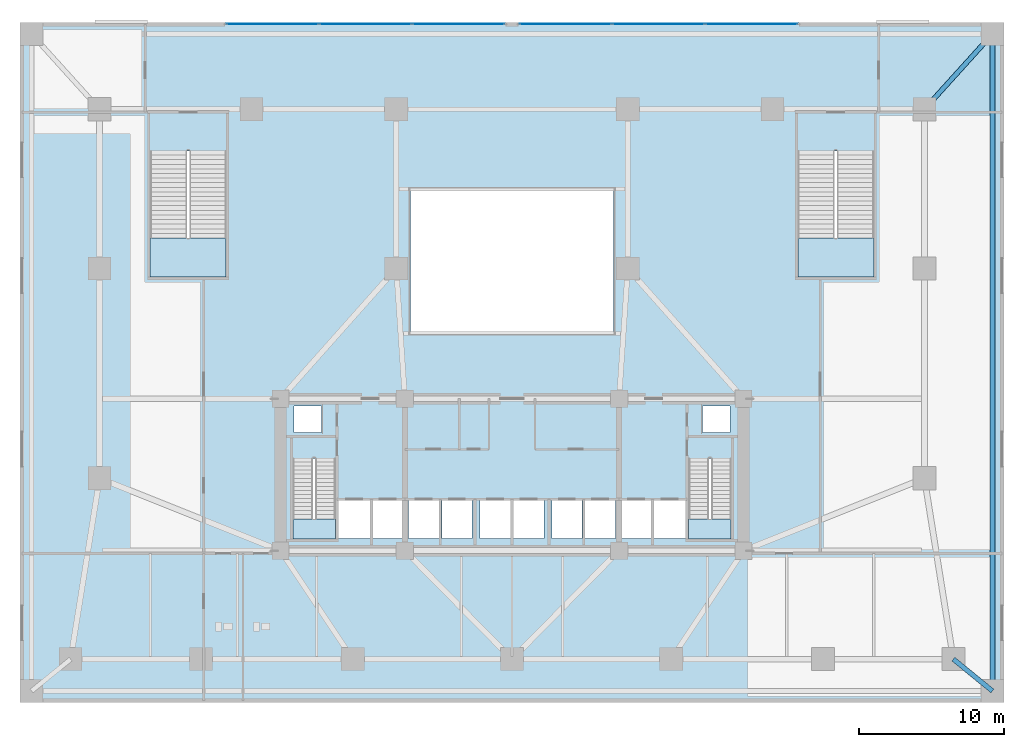
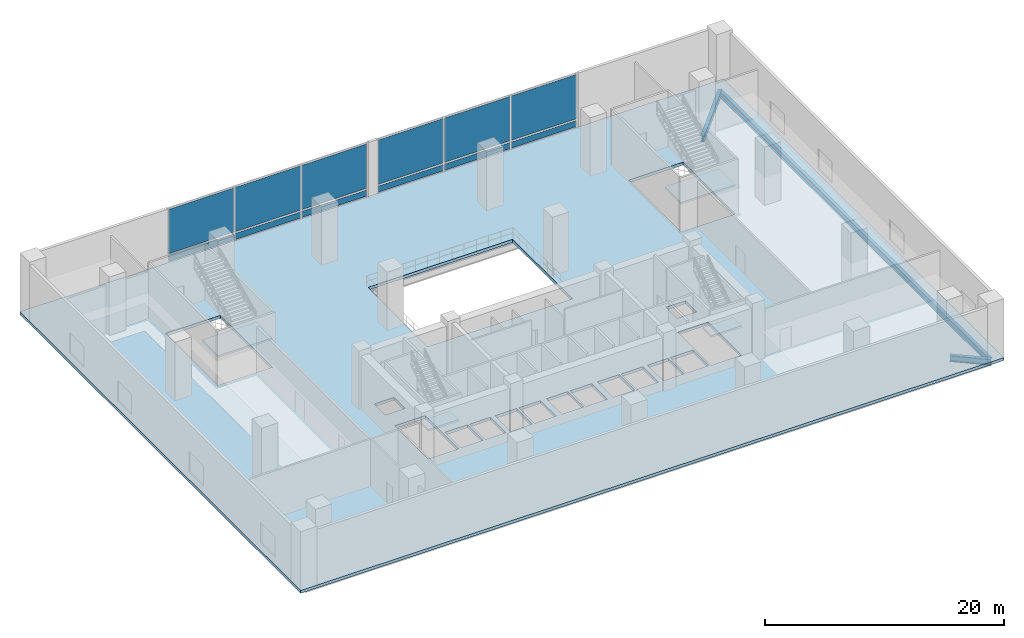
# One storey, part 5 of 16: 12 plates, 5 slabs, 3 beams, 6 elements without a shape of their own.
"""IFC4 building model written with IfcOpenShell, lengths in metres."""

from ifc_helpers import new_model, si_unit, direction, frame, origin, origin_2d, place, context, subcontext, project, spatial, polyline, rectangle, i_section, outline, extrude, material, layer, layer_set, material_profile, profile_set, type_object, element, aggregate, save


model = new_model("IFC4")

# Units and contexts
model_context = context("Model", 3, precision=1e-05, world=origin(), true_north=direction((0.0, 1.0)))
body_context = subcontext(model_context, "Body", "Model", "MODEL_VIEW")
ifc_project = project(units=[si_unit("LENGTHUNIT", "METRE"), si_unit("AREAUNIT", "SQUARE_METRE"), si_unit("VOLUMEUNIT", "CUBIC_METRE"), si_unit("PLANEANGLEUNIT", "RADIAN"), si_unit("MASSUNIT", "GRAM", prefix="KILO")], contexts=[model_context])

# Site, building, storey
site_placement = place(None, origin())
site = spatial("IfcSite", under=ifc_project, at=site_placement, CompositionType="ELEMENT")
building_placement = place(site_placement, origin())
building = spatial("IfcBuilding", under=site, at=building_placement, Name="Solmavex Isthmus Hotel", CompositionType="ELEMENT")
storey_placement = place(building_placement, frame((0.0, 0.0, 5.39990234375)))
storey = spatial("IfcBuildingStorey", under=building, at=storey_placement, Name="L02", CompositionType="ELEMENT", Elevation=5.39990234375)

# Beams
ifc_material_1 = material(Name="Steel ASTM A992 Grade 50", Category="steel")
ifc_material_profile = material_profile(ifc_material_1, i_section(OverallWidth=0.326416015625, OverallDepth=0.621826171875, WebThickness=0.015380859375, FlangeThickness=0.0244140625, FilletRadius=0.01513671875, at=origin_2d()), Name="W24X131")
ifc_profile_set = profile_set([ifc_material_profile], Name="Steel ASTM A992 Grade 50")
beam_type = type_object("IfcBeamType", Name="BM-SP-W24X131", PredefinedType="SPANDREL", material=ifc_profile_set)
beam_1_placement = place(storey_placement, frame((30.5, -20.5, -0.61083984375), z_axis=(0.77523625691, -0.631671390814, 0.0), x_axis=(0.631671390814, 0.77523625691, 0.0)))
element("IfcBeam", 1, at=beam_1_placement, inside=storey, type_object=beam_type, Name="Podium Corner Perimeter Girder L02-CR02", PredefinedType="SPANDREL", context=body_context, shape_type="SweptSolid", body=[
    extrude(i_section(OverallWidth=0.326416015625, OverallDepth=0.621826171875, WebThickness=0.015380859375, FlangeThickness=0.0244140625, FilletRadius=0.01513671875, at=origin_2d()), origin(), (0.0, 0.0, 1.0), 3.482666015625),
])
beam_2_placement = place(storey_placement, frame((33.199951171875, -22.699951171875, -0.61083984375), z_axis=(0.0, 1.0, 0.0), x_axis=(-1.0, 0.0, 0.0)))
element("IfcBeam", 2, at=beam_2_placement, inside=storey, type_object=beam_type, Name="Podium Corner Perimeter Girder L02-CR04", PredefinedType="SPANDREL", context=body_context, shape_type="SweptSolid", body=[
    extrude(i_section(OverallWidth=0.326416015625, OverallDepth=0.621826171875, WebThickness=0.015380859375, FlangeThickness=0.0244140625, FilletRadius=0.01513671875, at=origin_2d()), origin(), (0.0, 0.0, 1.0), 45.39990234375),
])
beam_3_placement = place(storey_placement, frame((28.5, 17.5, -0.61083984375), z_axis=(0.670539300557, 0.741874009795, 0.0), x_axis=(-0.741874009795, 0.670539300557, 0.0)))
element("IfcBeam", 3, at=beam_3_placement, inside=storey, type_object=beam_type, Name="Podium Corner Perimeter Girder L02-CR06", PredefinedType="SPANDREL", context=body_context, shape_type="SweptSolid", body=[
    extrude(i_section(OverallWidth=0.326416015625, OverallDepth=0.621826171875, WebThickness=0.015380859375, FlangeThickness=0.0244140625, FilletRadius=0.01513671875, at=origin_2d()), origin(), (0.0, 0.0, 1.0), 7.00927734375),
])

# Curtain wall, plates
ifc_material_2 = material(Name="Aluminium alloy 6063-T6", Category="aluminium")
curtain_wall_type = type_object("IfcCurtainWallType", Name="CW-SYS-01", PredefinedType="NOTDEFINED", material=ifc_material_2)
curtain_wall_1_placement = place(storey_placement, origin())
curtain_wall_1 = element("IfcCurtainWall", 4, at=curtain_wall_1_placement, inside=storey, type_object=curtain_wall_type, Name="Stick Curtain Wall CWL-L02-NW", PredefinedType="NOTDEFINED")
ifc_material_3 = material(Name="Clear low-E laminated glass", Category="glass")
ifc_layer_1 = layer(ifc_material_3, 0.035888671875)
ifc_layer_set_1 = layer_set([ifc_layer_1], Name="Clear low-E laminated glass")
plate_type = type_object("IfcPlateType", Name="CW-SYS-01-PNL", PredefinedType="CURTAIN_PANEL", material=ifc_layer_set_1)
plate_1_placement = place(storey_placement, frame((-16.554931640625, 23.3798828125, 0.18017578125), z_axis=(0.0, 0.0, 1.0), x_axis=(1.0, 0.0, 0.0)))
plate_1 = element("IfcPlate", 5, at=plate_1_placement, type_object=plate_type, Name="CW-01 panel 1.1", PredefinedType="CURTAIN_PANEL", context=body_context, shape_type="SweptSolid", body=[
    extrude(rectangle(XDim=6.330078125, YDim=0.035888671875, at=origin_2d()), origin(), (0.0, 0.0, 1.0), 0.6298828125),
])
plate_2_placement = place(storey_placement, frame((-16.554931640625, 23.3798828125, 0.990234375), z_axis=(0.0, 0.0, 1.0), x_axis=(1.0, 0.0, 0.0)))
plate_2 = element("IfcPlate", 6, at=plate_2_placement, type_object=plate_type, Name="CW-01 panel 1.2", PredefinedType="CURTAIN_PANEL", context=body_context, shape_type="SweptSolid", body=[
    extrude(rectangle(XDim=6.330078125, YDim=0.035888671875, at=origin_2d()), origin(), (0.0, 0.0, 1.0), 4.530029296875),
])
plate_3_placement = place(storey_placement, frame((-10.125, 23.3798828125, 0.18017578125), z_axis=(0.0, 0.0, 1.0), x_axis=(1.0, 0.0, 0.0)))
plate_3 = element("IfcPlate", 7, at=plate_3_placement, type_object=plate_type, Name="CW-01 panel 2.1", PredefinedType="CURTAIN_PANEL", context=body_context, shape_type="SweptSolid", body=[
    extrude(rectangle(XDim=6.3701171875, YDim=0.035888671875, at=origin_2d()), origin(), (0.0, 0.0, 1.0), 0.6298828125),
])
plate_4_placement = place(storey_placement, frame((-10.125, 23.3798828125, 0.990234375), z_axis=(0.0, 0.0, 1.0), x_axis=(1.0, 0.0, 0.0)))
plate_4 = element("IfcPlate", 8, at=plate_4_placement, type_object=plate_type, Name="CW-01 panel 2.2", PredefinedType="CURTAIN_PANEL", context=body_context, shape_type="SweptSolid", body=[
    extrude(rectangle(XDim=6.3701171875, YDim=0.035888671875, at=origin_2d()), origin(), (0.0, 0.0, 1.0), 4.530029296875),
])
plate_5_placement = place(storey_placement, frame((-3.695068359375, 23.3798828125, 0.18017578125), z_axis=(0.0, 0.0, 1.0), x_axis=(1.0, 0.0, 0.0)))
plate_5 = element("IfcPlate", 9, at=plate_5_placement, type_object=plate_type, Name="CW-01 panel 3.1", PredefinedType="CURTAIN_PANEL", context=body_context, shape_type="SweptSolid", body=[
    extrude(rectangle(XDim=6.330078125, YDim=0.035888671875, at=origin_2d()), origin(), (0.0, 0.0, 1.0), 0.6298828125),
])
plate_6_placement = place(storey_placement, frame((-3.695068359375, 23.3798828125, 0.990234375), z_axis=(0.0, 0.0, 1.0), x_axis=(1.0, 0.0, 0.0)))
plate_6 = element("IfcPlate", 10, at=plate_6_placement, type_object=plate_type, Name="CW-01 panel 3.2", PredefinedType="CURTAIN_PANEL", context=body_context, shape_type="SweptSolid", body=[
    extrude(rectangle(XDim=6.330078125, YDim=0.035888671875, at=origin_2d()), origin(), (0.0, 0.0, 1.0), 4.530029296875),
])
aggregate(curtain_wall_1, [plate_1, plate_2, plate_3, plate_4, plate_5, plate_6])

curtain_wall_2_placement = place(storey_placement, origin())
curtain_wall_2 = element("IfcCurtainWall", 11, at=curtain_wall_2_placement, inside=storey, type_object=curtain_wall_type, Name="Stick Curtain Wall CWL-L02-NE", PredefinedType="NOTDEFINED")
plate_7_placement = place(storey_placement, frame((3.695068359375, 23.3798828125, 0.18017578125), z_axis=(0.0, 0.0, 1.0), x_axis=(1.0, 0.0, 0.0)))
plate_7 = element("IfcPlate", 12, at=plate_7_placement, type_object=plate_type, Name="CW-01 panel 1.1", PredefinedType="CURTAIN_PANEL", context=body_context, shape_type="SweptSolid", body=[
    extrude(rectangle(XDim=6.330078125, YDim=0.035888671875, at=origin_2d()), origin(), (0.0, 0.0, 1.0), 0.6298828125),
])
plate_8_placement = place(storey_placement, frame((3.695068359375, 23.3798828125, 0.990234375), z_axis=(0.0, 0.0, 1.0), x_axis=(1.0, 0.0, 0.0)))
plate_8 = element("IfcPlate", 13, at=plate_8_placement, type_object=plate_type, Name="CW-01 panel 1.2", PredefinedType="CURTAIN_PANEL", context=body_context, shape_type="SweptSolid", body=[
    extrude(rectangle(XDim=6.330078125, YDim=0.035888671875, at=origin_2d()), origin(), (0.0, 0.0, 1.0), 4.530029296875),
])
plate_9_placement = place(storey_placement, frame((10.125, 23.3798828125, 0.18017578125), z_axis=(0.0, 0.0, 1.0), x_axis=(1.0, 0.0, 0.0)))
plate_9 = element("IfcPlate", 14, at=plate_9_placement, type_object=plate_type, Name="CW-01 panel 2.1", PredefinedType="CURTAIN_PANEL", context=body_context, shape_type="SweptSolid", body=[
    extrude(rectangle(XDim=6.3701171875, YDim=0.035888671875, at=origin_2d()), origin(), (0.0, 0.0, 1.0), 0.6298828125),
])
plate_10_placement = place(storey_placement, frame((10.125, 23.3798828125, 0.990234375), z_axis=(0.0, 0.0, 1.0), x_axis=(1.0, 0.0, 0.0)))
plate_10 = element("IfcPlate", 15, at=plate_10_placement, type_object=plate_type, Name="CW-01 panel 2.2", PredefinedType="CURTAIN_PANEL", context=body_context, shape_type="SweptSolid", body=[
    extrude(rectangle(XDim=6.3701171875, YDim=0.035888671875, at=origin_2d()), origin(), (0.0, 0.0, 1.0), 4.530029296875),
])
plate_11_placement = place(storey_placement, frame((16.554931640625, 23.3798828125, 0.18017578125), z_axis=(0.0, 0.0, 1.0), x_axis=(1.0, 0.0, 0.0)))
plate_11 = element("IfcPlate", 16, at=plate_11_placement, type_object=plate_type, Name="CW-01 panel 3.1", PredefinedType="CURTAIN_PANEL", context=body_context, shape_type="SweptSolid", body=[
    extrude(rectangle(XDim=6.330078125, YDim=0.035888671875, at=origin_2d()), origin(), (0.0, 0.0, 1.0), 0.6298828125),
])
plate_12_placement = place(storey_placement, frame((16.554931640625, 23.3798828125, 0.990234375), z_axis=(0.0, 0.0, 1.0), x_axis=(1.0, 0.0, 0.0)))
plate_12 = element("IfcPlate", 17, at=plate_12_placement, type_object=plate_type, Name="CW-01 panel 3.2", PredefinedType="CURTAIN_PANEL", context=body_context, shape_type="SweptSolid", body=[
    extrude(rectangle(XDim=6.330078125, YDim=0.035888671875, at=origin_2d()), origin(), (0.0, 0.0, 1.0), 4.530029296875),
])
aggregate(curtain_wall_2, [plate_7, plate_8, plate_9, plate_10, plate_11, plate_12])

# Slab
ifc_material_4 = material(Name="Concrete C40/50", Category="concrete")
ifc_layer_2 = layer(ifc_material_4, 0.300048828125)
ifc_layer_set_2 = layer_set([ifc_layer_2], Name="Concrete C40/50")
slab_type_1 = type_object("IfcSlabType", Name="SLAB-POD-300", PredefinedType="FLOOR", material=ifc_layer_set_2)
slab_1_placement = place(storey_placement, frame((0.0, 0.0, -0.2998046875)))
element("IfcSlab", 18, at=slab_1_placement, inside=storey, type_object=slab_type_1, Name="Podium Floor Slab L02", PredefinedType="FLOOR", context=body_context, shape_type="SweptSolid", body=[
    extrude(outline(polyline([(-34.0, -23.5), (34.0, -23.5), (34.0, 23.5), (-34.0, 23.5), (-34.0, -23.5)]), holes=[polyline([(-15.14990234375, -6.617919921875), (-15.14990234375, -12.199951171875), (-12.199951171875, -12.199951171875), (-12.199951171875, -6.617919921875), (-15.14990234375, -6.617919921875)]), polyline([(12.199951171875, -6.617919921875), (12.199951171875, -12.199951171875), (15.14990234375, -12.199951171875), (15.14990234375, -6.617919921875), (12.199951171875, -6.617919921875)]), polyline([(19.75, 14.632080078125), (19.75, 5.89990234375), (25.0, 5.89990234375), (25.0, 14.632080078125), (19.75, 14.632080078125)]), polyline([(-25.0, 14.632080078125), (-25.0, 5.89990234375), (-19.75, 5.89990234375), (-19.75, 14.632080078125), (-25.0, 14.632080078125)]), polyline([(-12.0, -12.14990234375), (-9.800048828125, -12.14990234375), (-9.800048828125, -9.550048828125), (-12.0, -9.550048828125), (-12.0, -12.14990234375)]), polyline([(9.800048828125, -12.14990234375), (12.0, -12.14990234375), (12.0, -9.550048828125), (9.800048828125, -9.550048828125), (9.800048828125, -12.14990234375)]), polyline([(-9.60009765625, -12.14990234375), (-7.60009765625, -12.14990234375), (-7.60009765625, -9.550048828125), (-9.60009765625, -9.550048828125), (-9.60009765625, -12.14990234375)]), polyline([(7.60009765625, -12.14990234375), (9.60009765625, -12.14990234375), (9.60009765625, -9.550048828125), (7.60009765625, -9.550048828125), (7.60009765625, -12.14990234375)]), polyline([(-7.14990234375, -12.14990234375), (-5.050048828125, -12.14990234375), (-5.050048828125, -9.550048828125), (-7.14990234375, -9.550048828125), (-7.14990234375, -12.14990234375)]), polyline([(-4.85009765625, -12.14990234375), (-2.75, -12.14990234375), (-2.75, -9.550048828125), (-4.85009765625, -9.550048828125), (-4.85009765625, -12.14990234375)]), polyline([(-2.199951171875, -12.14990234375), (-0.10009765625, -12.14990234375), (-0.10009765625, -9.550048828125), (-2.199951171875, -9.550048828125), (-2.199951171875, -12.14990234375)]), polyline([(0.10009765625, -12.14990234375), (2.199951171875, -12.14990234375), (2.199951171875, -9.550048828125), (0.10009765625, -9.550048828125), (0.10009765625, -12.14990234375)]), polyline([(2.75, -12.14990234375), (4.85009765625, -12.14990234375), (4.85009765625, -9.550048828125), (2.75, -9.550048828125), (2.75, -12.14990234375)]), polyline([(5.050048828125, -12.14990234375), (7.14990234375, -12.14990234375), (7.14990234375, -9.550048828125), (5.050048828125, -9.550048828125), (5.050048828125, -12.14990234375)]), polyline([(-7.0, 2.0), (7.0, 2.0), (7.0, 12.0), (-7.0, 12.0), (-7.0, 2.0)]), polyline([(-15.050048828125, -4.85009765625), (-13.14990234375, -4.85009765625), (-13.14990234375, -3.0), (-15.050048828125, -3.0), (-15.050048828125, -4.85009765625)]), polyline([(13.14990234375, -4.85009765625), (15.050048828125, -4.85009765625), (15.050048828125, -3.0), (13.14990234375, -3.0), (13.14990234375, -4.85009765625)])]), origin(), (0.0, 0.0, 1.0), 0.2998046875),
])

# Stair, slab
stair_type_1 = type_object("IfcStairType", Name="STR-ST-1", PredefinedType="HALF_TURN_STAIR", material=ifc_material_4)
stair_1_placement = place(storey_placement, origin())
stair_1 = element("IfcStair", 19, at=stair_1_placement, inside=storey, type_object=stair_type_1, Name="L02 Protected Exit Stair ST-1", PredefinedType="HALF_TURN_STAIR")
ifc_layer_3 = layer(ifc_material_4, 0.219970703125)
ifc_layer_set_3 = layer_set([ifc_layer_3], Name="Concrete C40/50")
slab_type_2 = type_object("IfcSlabType", Name="SLD-ST-1", PredefinedType="LANDING", material=ifc_layer_set_3)
slab_2_placement = place(storey_placement, frame((0.0, 0.0, 2.800048828125)))
slab_2 = element("IfcSlab", 20, at=slab_2_placement, type_object=slab_type_2, Name="ST-1 landing 1", PredefinedType="LANDING", context=body_context, shape_type="SweptSolid", body=[
    extrude(outline(polyline([(-15.14990234375, -10.800048828125), (-15.14990234375, -12.199951171875), (-12.199951171875, -12.199951171875), (-12.199951171875, -10.800048828125), (-15.14990234375, -10.800048828125)])), origin(), (0.0, 0.0, 1.0), 0.199951171875),
])
aggregate(stair_1, [slab_2])

stair_type_2 = type_object("IfcStairType", Name="STR-ST-2", PredefinedType="HALF_TURN_STAIR", material=ifc_material_4)
stair_2_placement = place(storey_placement, origin())
stair_2 = element("IfcStair", 21, at=stair_2_placement, inside=storey, type_object=stair_type_2, Name="L02 Protected Exit Stair ST-2", PredefinedType="HALF_TURN_STAIR")
ifc_layer_4 = layer(ifc_material_4, 0.219970703125)
ifc_layer_set_4 = layer_set([ifc_layer_4], Name="Concrete C40/50")
slab_type_3 = type_object("IfcSlabType", Name="SLD-ST-2", PredefinedType="LANDING", material=ifc_layer_set_4)
slab_3_placement = place(storey_placement, frame((0.0, 0.0, 2.800048828125)))
slab_3 = element("IfcSlab", 22, at=slab_3_placement, type_object=slab_type_3, Name="ST-2 landing 1", PredefinedType="LANDING", context=body_context, shape_type="SweptSolid", body=[
    extrude(outline(polyline([(12.199951171875, -10.800048828125), (12.199951171875, -12.199951171875), (15.14990234375, -12.199951171875), (15.14990234375, -10.800048828125), (12.199951171875, -10.800048828125)])), origin(), (0.0, 0.0, 1.0), 0.199951171875),
])
aggregate(stair_2, [slab_3])

stair_type_3 = type_object("IfcStairType", Name="STR-ST-3", PredefinedType="HALF_TURN_STAIR", material=ifc_material_4)
stair_3_placement = place(storey_placement, origin())
stair_3 = element("IfcStair", 23, at=stair_3_placement, inside=storey, type_object=stair_type_3, Name="L02 Podium Assembly Exit Stair ST-3", PredefinedType="HALF_TURN_STAIR")
ifc_layer_5 = layer(ifc_material_4, 0.219970703125)
ifc_layer_set_5 = layer_set([ifc_layer_5], Name="Concrete C40/50")
slab_type_4 = type_object("IfcSlabType", Name="SLD-ST-3", PredefinedType="LANDING", material=ifc_layer_set_5)
slab_4_placement = place(storey_placement, frame((0.0, 0.0, 2.800048828125)))
slab_4 = element("IfcSlab", 24, at=slab_4_placement, type_object=slab_type_4, Name="ST-3 landing 1", PredefinedType="LANDING", context=body_context, shape_type="SweptSolid", body=[
    extrude(outline(polyline([(19.75, 8.60791015625), (19.75, 5.89990234375), (25.0, 5.89990234375), (25.0, 8.60791015625), (19.75, 8.60791015625)])), origin(), (0.0, 0.0, 1.0), 0.199951171875),
])
aggregate(stair_3, [slab_4])

stair_type_4 = type_object("IfcStairType", Name="STR-ST-4", PredefinedType="HALF_TURN_STAIR", material=ifc_material_4)
stair_4_placement = place(storey_placement, origin())
stair_4 = element("IfcStair", 25, at=stair_4_placement, inside=storey, type_object=stair_type_4, Name="L02 Podium Assembly Exit Stair ST-4", PredefinedType="HALF_TURN_STAIR")
ifc_layer_6 = layer(ifc_material_4, 0.219970703125)
ifc_layer_set_6 = layer_set([ifc_layer_6], Name="Concrete C40/50")
slab_type_5 = type_object("IfcSlabType", Name="SLD-ST-4", PredefinedType="LANDING", material=ifc_layer_set_6)
slab_5_placement = place(storey_placement, frame((0.0, 0.0, 2.800048828125)))
slab_5 = element("IfcSlab", 26, at=slab_5_placement, type_object=slab_type_5, Name="ST-4 landing 1", PredefinedType="LANDING", context=body_context, shape_type="SweptSolid", body=[
    extrude(outline(polyline([(-25.0, 8.60791015625), (-25.0, 5.89990234375), (-19.75, 5.89990234375), (-19.75, 8.60791015625), (-25.0, 8.60791015625)])), origin(), (0.0, 0.0, 1.0), 0.199951171875),
])
aggregate(stair_4, [slab_5])

save(model, "model.ifc")
